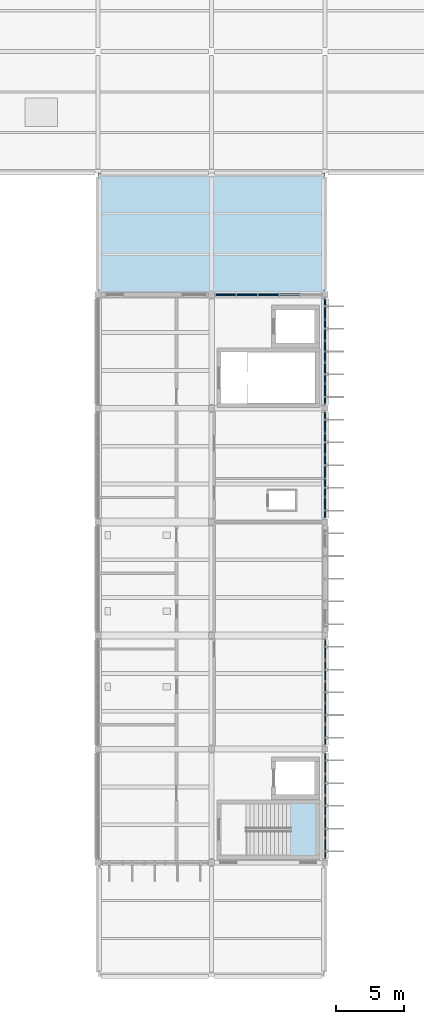
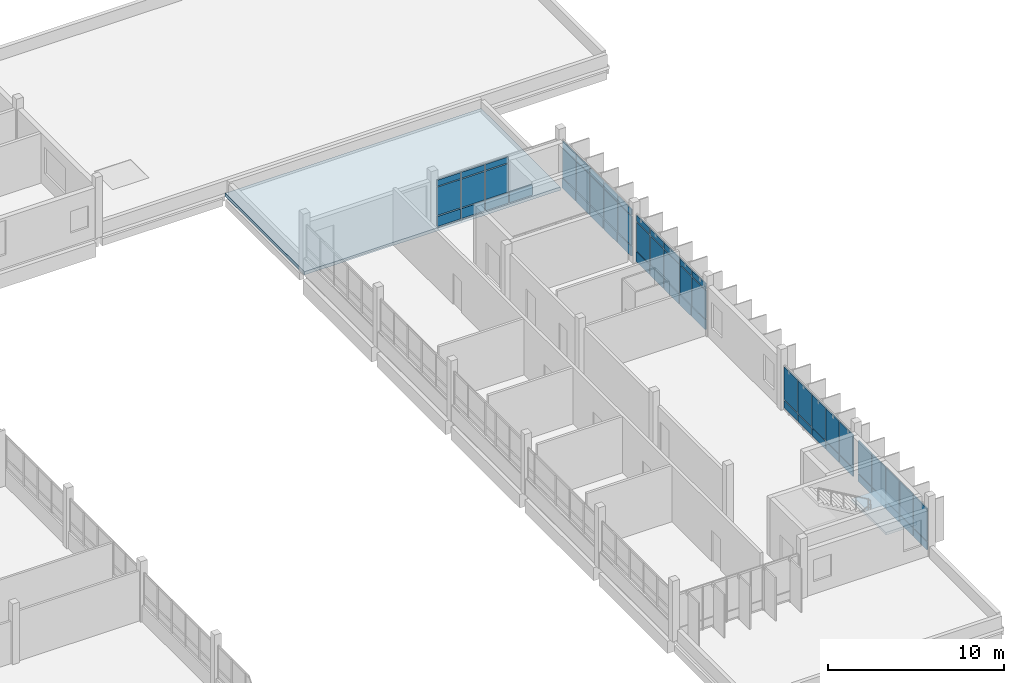
# One storey, part 47 of 62: 60 plates, 2 slabs, 6 elements without a shape of their own.
"""IFC4 building model written with IfcOpenShell, lengths in metres."""

from ifc_helpers import new_model, si_unit, direction, frame, origin, origin_2d, place, context, subcontext, project, spatial, polyline, rectangle, outline, extrude, material, layer, layer_set, type_object, element, aggregate, save


model = new_model("IFC4")

# Units and contexts
model_context = context("Model", 3, precision=1e-05, world=origin(), true_north=direction((0.0, 1.0)))
body_context = subcontext(model_context, "Body", "Model", "MODEL_VIEW")
ifc_project = project(units=[si_unit("LENGTHUNIT", "METRE"), si_unit("AREAUNIT", "SQUARE_METRE"), si_unit("VOLUMEUNIT", "CUBIC_METRE"), si_unit("PLANEANGLEUNIT", "RADIAN"), si_unit("MASSUNIT", "GRAM", prefix="KILO")], contexts=[model_context])

# Site, building, storey
site_placement = place(None, origin())
site = spatial("IfcSite", under=ifc_project, at=site_placement, CompositionType="ELEMENT")
building_placement = place(site_placement, origin())
building = spatial("IfcBuilding", under=site, at=building_placement, Name="Vireocrest Preparatory School", CompositionType="ELEMENT")
storey_placement = place(building_placement, frame((0.0, 0.0, 17.39990234375)))
storey = spatial("IfcBuildingStorey", under=building, at=storey_placement, Name="L04", CompositionType="ELEMENT", Elevation=17.39990234375)

# Curtain wall, plates
ifc_material_1 = material(Name="Thermally broken aluminium EN AW-6063-T6", Category="aluminium")
ifc_layer_1 = layer(ifc_material_1, 0.179931640625)
ifc_layer_set_1 = layer_set([ifc_layer_1], Name="Thermally broken aluminium EN AW-6063-T6")
curtain_wall_type_1 = type_object("IfcCurtainWallType", Name="Teaching Fin Curtain Wall 8400x4200", PredefinedType="USERDEFINED", material=ifc_layer_set_1)
curtain_wall_1_placement = place(storey_placement, origin())
curtain_wall_1 = element("IfcCurtainWall", 1, at=curtain_wall_1_placement, inside=storey, type_object=curtain_wall_type_1, Name="Curtain Wall CW03 CW_L04_CW03_1092_0440_174", ObjectType="CURTAIN WALL", PredefinedType="USERDEFINED")
ifc_material_2 = material(Name="Insulated triple low-e tempered safety glass", Category="glass")
ifc_layer_2 = layer(ifc_material_2, 0.074951171875)
ifc_layer_set_2 = layer_set([ifc_layer_2], Name="Insulated triple low-e tempered safety glass")
plate_type_1 = type_object("IfcPlateType", Name="Acoustic Triple-Glazed Lab Curtain Panel 75", PredefinedType="CURTAIN_PANEL", material=ifc_layer_set_2)
plate_1_placement = place(storey_placement, frame((109.199951171875, 44.847900390625, 0.127685546875), z_axis=(0.0, 0.0, 1.0), x_axis=(0.0, 1.0, 0.0)))
plate_1 = element("IfcPlate", 2, at=plate_1_placement, type_object=plate_type_1, Name="CW Panel GL2 CW_L04_CW03_1092_0440_174-1-1", PredefinedType="CURTAIN_PANEL", context=body_context, shape_type="SweptSolid", body=[
    extrude(rectangle(XDim=1.510986328125, YDim=0.074951171875, at=origin_2d()), origin(), (0.0, 0.0, 1.0), 0.5400390625),
])
plate_2_placement = place(storey_placement, frame((109.199951171875, 44.847900390625, 0.732666015625), z_axis=(0.0, 0.0, 1.0), x_axis=(0.0, 1.0, 0.0)))
plate_2 = element("IfcPlate", 3, at=plate_2_placement, type_object=plate_type_1, Name="CW Panel GL2 CW_L04_CW03_1092_0440_174-1-2", PredefinedType="CURTAIN_PANEL", context=body_context, shape_type="SweptSolid", body=[
    extrude(rectangle(XDim=1.510986328125, YDim=0.074951171875, at=origin_2d()), origin(), (0.0, 0.0, 1.0), 2.25),
])
plate_3_placement = place(storey_placement, frame((109.199951171875, 46.424072265625, 0.127685546875), z_axis=(0.0, 0.0, 1.0), x_axis=(0.0, 1.0, 0.0)))
plate_3 = element("IfcPlate", 4, at=plate_3_placement, type_object=plate_type_1, Name="CW Panel GL2 CW_L04_CW03_1092_0440_174-2-1", PredefinedType="CURTAIN_PANEL", context=body_context, shape_type="SweptSolid", body=[
    extrude(rectangle(XDim=1.510986328125, YDim=0.074951171875, at=origin_2d()), origin(), (0.0, 0.0, 1.0), 0.5400390625),
])
plate_4_placement = place(storey_placement, frame((109.199951171875, 46.424072265625, 0.732666015625), z_axis=(0.0, 0.0, 1.0), x_axis=(0.0, 1.0, 0.0)))
plate_4 = element("IfcPlate", 5, at=plate_4_placement, type_object=plate_type_1, Name="CW Panel GL2 CW_L04_CW03_1092_0440_174-2-2", PredefinedType="CURTAIN_PANEL", context=body_context, shape_type="SweptSolid", body=[
    extrude(rectangle(XDim=1.510986328125, YDim=0.074951171875, at=origin_2d()), origin(), (0.0, 0.0, 1.0), 2.25),
])
plate_5_placement = place(storey_placement, frame((109.199951171875, 48.0, 0.127685546875), z_axis=(0.0, 0.0, 1.0), x_axis=(0.0, 1.0, 0.0)))
plate_5 = element("IfcPlate", 6, at=plate_5_placement, type_object=plate_type_1, Name="CW Panel GL2 CW_L04_CW03_1092_0440_174-3-1", PredefinedType="CURTAIN_PANEL", context=body_context, shape_type="SweptSolid", body=[
    extrude(rectangle(XDim=1.510986328125, YDim=0.074951171875, at=origin_2d()), origin(), (0.0, 0.0, 1.0), 0.5400390625),
])
plate_6_placement = place(storey_placement, frame((109.199951171875, 48.0, 0.732666015625), z_axis=(0.0, 0.0, 1.0), x_axis=(0.0, 1.0, 0.0)))
plate_6 = element("IfcPlate", 7, at=plate_6_placement, type_object=plate_type_1, Name="CW Panel GL2 CW_L04_CW03_1092_0440_174-3-2", PredefinedType="CURTAIN_PANEL", context=body_context, shape_type="SweptSolid", body=[
    extrude(rectangle(XDim=1.510986328125, YDim=0.074951171875, at=origin_2d()), origin(), (0.0, 0.0, 1.0), 2.25),
])
plate_7_placement = place(storey_placement, frame((109.199951171875, 49.575927734375, 0.127685546875), z_axis=(0.0, 0.0, 1.0), x_axis=(0.0, 1.0, 0.0)))
plate_7 = element("IfcPlate", 8, at=plate_7_placement, type_object=plate_type_1, Name="CW Panel GL2 CW_L04_CW03_1092_0440_174-4-1", PredefinedType="CURTAIN_PANEL", context=body_context, shape_type="SweptSolid", body=[
    extrude(rectangle(XDim=1.510986328125, YDim=0.074951171875, at=origin_2d()), origin(), (0.0, 0.0, 1.0), 0.5400390625),
])
plate_8_placement = place(storey_placement, frame((109.199951171875, 49.575927734375, 0.732666015625), z_axis=(0.0, 0.0, 1.0), x_axis=(0.0, 1.0, 0.0)))
plate_8 = element("IfcPlate", 9, at=plate_8_placement, type_object=plate_type_1, Name="CW Panel GL2 CW_L04_CW03_1092_0440_174-4-2", PredefinedType="CURTAIN_PANEL", context=body_context, shape_type="SweptSolid", body=[
    extrude(rectangle(XDim=1.510986328125, YDim=0.074951171875, at=origin_2d()), origin(), (0.0, 0.0, 1.0), 2.25),
])
plate_9_placement = place(storey_placement, frame((109.199951171875, 51.152099609375, 0.127685546875), z_axis=(0.0, 0.0, 1.0), x_axis=(0.0, 1.0, 0.0)))
plate_9 = element("IfcPlate", 10, at=plate_9_placement, type_object=plate_type_1, Name="CW Panel GL2 CW_L04_CW03_1092_0440_174-5-1", PredefinedType="CURTAIN_PANEL", context=body_context, shape_type="SweptSolid", body=[
    extrude(rectangle(XDim=1.510986328125, YDim=0.074951171875, at=origin_2d()), origin(), (0.0, 0.0, 1.0), 0.5400390625),
])
plate_10_placement = place(storey_placement, frame((109.199951171875, 51.152099609375, 0.732666015625), z_axis=(0.0, 0.0, 1.0), x_axis=(0.0, 1.0, 0.0)))
plate_10 = element("IfcPlate", 11, at=plate_10_placement, type_object=plate_type_1, Name="CW Panel GL2 CW_L04_CW03_1092_0440_174-5-2", PredefinedType="CURTAIN_PANEL", context=body_context, shape_type="SweptSolid", body=[
    extrude(rectangle(XDim=1.510986328125, YDim=0.074951171875, at=origin_2d()), origin(), (0.0, 0.0, 1.0), 2.25),
])
aggregate(curtain_wall_1, [plate_1, plate_2, plate_3, plate_4, plate_5, plate_6, plate_7, plate_8, plate_9, plate_10])

curtain_wall_2_placement = place(storey_placement, origin())
curtain_wall_2 = element("IfcCurtainWall", 12, at=curtain_wall_2_placement, inside=storey, type_object=curtain_wall_type_1, Name="Curtain Wall CW03 CW_L04_CW03_1092_0524_174", ObjectType="CURTAIN WALL", PredefinedType="USERDEFINED")
plate_11_placement = place(storey_placement, frame((109.199951171875, 53.248046875, 0.127685546875), z_axis=(0.0, 0.0, 1.0), x_axis=(0.0, 1.0, 0.0)))
plate_11 = element("IfcPlate", 13, at=plate_11_placement, type_object=plate_type_1, Name="CW Panel GL2 CW_L04_CW03_1092_0524_174-1-1", PredefinedType="CURTAIN_PANEL", context=body_context, shape_type="SweptSolid", body=[
    extrude(rectangle(XDim=1.510986328125, YDim=0.074951171875, at=origin_2d()), origin(), (0.0, 0.0, 1.0), 0.5400390625),
])
plate_12_placement = place(storey_placement, frame((109.199951171875, 53.248046875, 0.732666015625), z_axis=(0.0, 0.0, 1.0), x_axis=(0.0, 1.0, 0.0)))
plate_12 = element("IfcPlate", 14, at=plate_12_placement, type_object=plate_type_1, Name="CW Panel GL2 CW_L04_CW03_1092_0524_174-1-2", PredefinedType="CURTAIN_PANEL", context=body_context, shape_type="SweptSolid", body=[
    extrude(rectangle(XDim=1.510986328125, YDim=0.074951171875, at=origin_2d()), origin(), (0.0, 0.0, 1.0), 2.25),
])
plate_13_placement = place(storey_placement, frame((109.199951171875, 54.823974609375, 0.127685546875), z_axis=(0.0, 0.0, 1.0), x_axis=(0.0, 1.0, 0.0)))
plate_13 = element("IfcPlate", 15, at=plate_13_placement, type_object=plate_type_1, Name="CW Panel GL2 CW_L04_CW03_1092_0524_174-2-1", PredefinedType="CURTAIN_PANEL", context=body_context, shape_type="SweptSolid", body=[
    extrude(rectangle(XDim=1.510986328125, YDim=0.074951171875, at=origin_2d()), origin(), (0.0, 0.0, 1.0), 0.5400390625),
])
plate_14_placement = place(storey_placement, frame((109.199951171875, 54.823974609375, 0.732666015625), z_axis=(0.0, 0.0, 1.0), x_axis=(0.0, 1.0, 0.0)))
plate_14 = element("IfcPlate", 16, at=plate_14_placement, type_object=plate_type_1, Name="CW Panel GL2 CW_L04_CW03_1092_0524_174-2-2", PredefinedType="CURTAIN_PANEL", context=body_context, shape_type="SweptSolid", body=[
    extrude(rectangle(XDim=1.510986328125, YDim=0.074951171875, at=origin_2d()), origin(), (0.0, 0.0, 1.0), 2.25),
])
plate_15_placement = place(storey_placement, frame((109.199951171875, 56.39990234375, 0.127685546875), z_axis=(0.0, 0.0, 1.0), x_axis=(0.0, 1.0, 0.0)))
plate_15 = element("IfcPlate", 17, at=plate_15_placement, type_object=plate_type_1, Name="CW Panel GL2 CW_L04_CW03_1092_0524_174-3-1", PredefinedType="CURTAIN_PANEL", context=body_context, shape_type="SweptSolid", body=[
    extrude(rectangle(XDim=1.510986328125, YDim=0.074951171875, at=origin_2d()), origin(), (0.0, 0.0, 1.0), 0.5400390625),
])
plate_16_placement = place(storey_placement, frame((109.199951171875, 56.39990234375, 0.732666015625), z_axis=(0.0, 0.0, 1.0), x_axis=(0.0, 1.0, 0.0)))
plate_16 = element("IfcPlate", 18, at=plate_16_placement, type_object=plate_type_1, Name="CW Panel GL2 CW_L04_CW03_1092_0524_174-3-2", PredefinedType="CURTAIN_PANEL", context=body_context, shape_type="SweptSolid", body=[
    extrude(rectangle(XDim=1.510986328125, YDim=0.074951171875, at=origin_2d()), origin(), (0.0, 0.0, 1.0), 2.25),
])
plate_17_placement = place(storey_placement, frame((109.199951171875, 57.97607421875, 0.127685546875), z_axis=(0.0, 0.0, 1.0), x_axis=(0.0, 1.0, 0.0)))
plate_17 = element("IfcPlate", 19, at=plate_17_placement, type_object=plate_type_1, Name="CW Panel GL2 CW_L04_CW03_1092_0524_174-4-1", PredefinedType="CURTAIN_PANEL", context=body_context, shape_type="SweptSolid", body=[
    extrude(rectangle(XDim=1.510986328125, YDim=0.074951171875, at=origin_2d()), origin(), (0.0, 0.0, 1.0), 0.5400390625),
])
plate_18_placement = place(storey_placement, frame((109.199951171875, 57.97607421875, 0.732666015625), z_axis=(0.0, 0.0, 1.0), x_axis=(0.0, 1.0, 0.0)))
plate_18 = element("IfcPlate", 20, at=plate_18_placement, type_object=plate_type_1, Name="CW Panel GL2 CW_L04_CW03_1092_0524_174-4-2", PredefinedType="CURTAIN_PANEL", context=body_context, shape_type="SweptSolid", body=[
    extrude(rectangle(XDim=1.510986328125, YDim=0.074951171875, at=origin_2d()), origin(), (0.0, 0.0, 1.0), 2.25),
])
plate_19_placement = place(storey_placement, frame((109.199951171875, 59.552001953125, 0.127685546875), z_axis=(0.0, 0.0, 1.0), x_axis=(0.0, 1.0, 0.0)))
plate_19 = element("IfcPlate", 21, at=plate_19_placement, type_object=plate_type_1, Name="CW Panel GL2 CW_L04_CW03_1092_0524_174-5-1", PredefinedType="CURTAIN_PANEL", context=body_context, shape_type="SweptSolid", body=[
    extrude(rectangle(XDim=1.510986328125, YDim=0.074951171875, at=origin_2d()), origin(), (0.0, 0.0, 1.0), 0.5400390625),
])
plate_20_placement = place(storey_placement, frame((109.199951171875, 59.552001953125, 0.732666015625), z_axis=(0.0, 0.0, 1.0), x_axis=(0.0, 1.0, 0.0)))
plate_20 = element("IfcPlate", 22, at=plate_20_placement, type_object=plate_type_1, Name="CW Panel GL2 CW_L04_CW03_1092_0524_174-5-2", PredefinedType="CURTAIN_PANEL", context=body_context, shape_type="SweptSolid", body=[
    extrude(rectangle(XDim=1.510986328125, YDim=0.074951171875, at=origin_2d()), origin(), (0.0, 0.0, 1.0), 2.25),
])
aggregate(curtain_wall_2, [plate_11, plate_12, plate_13, plate_14, plate_15, plate_16, plate_17, plate_18, plate_19, plate_20])

curtain_wall_3_placement = place(storey_placement, origin())
curtain_wall_3 = element("IfcCurtainWall", 23, at=curtain_wall_3_placement, inside=storey, type_object=curtain_wall_type_1, Name="Curtain Wall CW03 CW_L04_CW03_1092_0692_174", ObjectType="CURTAIN WALL", PredefinedType="USERDEFINED")
plate_21_placement = place(storey_placement, frame((109.199951171875, 70.048095703125, 0.88232421875), z_axis=(0.0, 0.0, 1.0), x_axis=(0.0, 1.0, 0.0)))
plate_21 = element("IfcPlate", 24, at=plate_21_placement, type_object=plate_type_1, Name="CW Panel GL2 CW_L04_CW03_1092_0692_174-1-2", PredefinedType="CURTAIN_PANEL", context=body_context, shape_type="SweptSolid", body=[
    extrude(rectangle(XDim=1.510986328125, YDim=0.074951171875, at=origin_2d()), origin(), (0.0, 0.0, 1.0), 1.965087890625),
])
plate_22_placement = place(storey_placement, frame((109.199951171875, 70.048095703125, 2.91259765625), z_axis=(0.0, 0.0, 1.0), x_axis=(0.0, 1.0, 0.0)))
plate_22 = element("IfcPlate", 25, at=plate_22_placement, type_object=plate_type_1, Name="CW Panel GL2 CW_L04_CW03_1092_0692_174-1-3", PredefinedType="CURTAIN_PANEL", context=body_context, shape_type="SweptSolid", body=[
    extrude(rectangle(XDim=1.510986328125, YDim=0.074951171875, at=origin_2d()), origin(), (0.0, 0.0, 1.0), 0.409912109375),
])
plate_23_placement = place(storey_placement, frame((109.199951171875, 71.51806640625, 0.88232421875), z_axis=(0.0, 0.0, 1.0), x_axis=(0.0, 1.0, 0.0)))
plate_23 = element("IfcPlate", 26, at=plate_23_placement, type_object=plate_type_1, Name="CW Panel GL2 CW_L04_CW03_1092_0692_174-2-2", PredefinedType="CURTAIN_PANEL", context=body_context, shape_type="SweptSolid", body=[
    extrude(rectangle(XDim=1.299072265625, YDim=0.074951171875, at=origin_2d()), origin(), (0.0, 0.0, 1.0), 1.965087890625),
])
plate_24_placement = place(storey_placement, frame((109.199951171875, 71.51806640625, 2.91259765625), z_axis=(0.0, 0.0, 1.0), x_axis=(0.0, 1.0, 0.0)))
plate_24 = element("IfcPlate", 27, at=plate_24_placement, type_object=plate_type_1, Name="CW Panel GL2 CW_L04_CW03_1092_0692_174-2-3", PredefinedType="CURTAIN_PANEL", context=body_context, shape_type="SweptSolid", body=[
    extrude(rectangle(XDim=1.299072265625, YDim=0.074951171875, at=origin_2d()), origin(), (0.0, 0.0, 1.0), 0.409912109375),
])
plate_25_placement = place(storey_placement, frame((109.199951171875, 73.093994140625, 0.88232421875), z_axis=(0.0, 0.0, 1.0), x_axis=(0.0, 1.0, 0.0)))
plate_25 = element("IfcPlate", 28, at=plate_25_placement, type_object=plate_type_1, Name="CW Panel GL2 CW_L04_CW03_1092_0692_174-3-2", PredefinedType="CURTAIN_PANEL", context=body_context, shape_type="SweptSolid", body=[
    extrude(rectangle(XDim=1.722900390625, YDim=0.074951171875, at=origin_2d()), origin(), (0.0, 0.0, 1.0), 1.965087890625),
])
plate_26_placement = place(storey_placement, frame((109.199951171875, 73.093994140625, 2.91259765625), z_axis=(0.0, 0.0, 1.0), x_axis=(0.0, 1.0, 0.0)))
plate_26 = element("IfcPlate", 29, at=plate_26_placement, type_object=plate_type_1, Name="CW Panel GL2 CW_L04_CW03_1092_0692_174-3-3", PredefinedType="CURTAIN_PANEL", context=body_context, shape_type="SweptSolid", body=[
    extrude(rectangle(XDim=1.722900390625, YDim=0.074951171875, at=origin_2d()), origin(), (0.0, 0.0, 1.0), 0.409912109375),
])
plate_27_placement = place(storey_placement, frame((109.199951171875, 74.77587890625, 0.88232421875), z_axis=(0.0, 0.0, 1.0), x_axis=(0.0, 1.0, 0.0)))
plate_27 = element("IfcPlate", 30, at=plate_27_placement, type_object=plate_type_1, Name="CW Panel GL2 CW_L04_CW03_1092_0692_174-4-2", PredefinedType="CURTAIN_PANEL", context=body_context, shape_type="SweptSolid", body=[
    extrude(rectangle(XDim=1.510986328125, YDim=0.074951171875, at=origin_2d()), origin(), (0.0, 0.0, 1.0), 1.965087890625),
])
plate_28_placement = place(storey_placement, frame((109.199951171875, 74.77587890625, 2.91259765625), z_axis=(0.0, 0.0, 1.0), x_axis=(0.0, 1.0, 0.0)))
plate_28 = element("IfcPlate", 31, at=plate_28_placement, type_object=plate_type_1, Name="CW Panel GL2 CW_L04_CW03_1092_0692_174-4-3", PredefinedType="CURTAIN_PANEL", context=body_context, shape_type="SweptSolid", body=[
    extrude(rectangle(XDim=1.510986328125, YDim=0.074951171875, at=origin_2d()), origin(), (0.0, 0.0, 1.0), 0.409912109375),
])
plate_29_placement = place(storey_placement, frame((109.199951171875, 76.35205078125, 0.88232421875), z_axis=(0.0, 0.0, 1.0), x_axis=(0.0, 1.0, 0.0)))
plate_29 = element("IfcPlate", 32, at=plate_29_placement, type_object=plate_type_1, Name="CW Panel GL2 CW_L04_CW03_1092_0692_174-5-2", PredefinedType="CURTAIN_PANEL", context=body_context, shape_type="SweptSolid", body=[
    extrude(rectangle(XDim=1.510986328125, YDim=0.074951171875, at=origin_2d()), origin(), (0.0, 0.0, 1.0), 1.965087890625),
])
plate_30_placement = place(storey_placement, frame((109.199951171875, 76.35205078125, 2.91259765625), z_axis=(0.0, 0.0, 1.0), x_axis=(0.0, 1.0, 0.0)))
plate_30 = element("IfcPlate", 33, at=plate_30_placement, type_object=plate_type_1, Name="CW Panel GL2 CW_L04_CW03_1092_0692_174-5-3", PredefinedType="CURTAIN_PANEL", context=body_context, shape_type="SweptSolid", body=[
    extrude(rectangle(XDim=1.510986328125, YDim=0.074951171875, at=origin_2d()), origin(), (0.0, 0.0, 1.0), 0.409912109375),
])

curtain_wall_4_placement = place(storey_placement, origin())
curtain_wall_4 = element("IfcCurtainWall", 34, at=curtain_wall_4_placement, inside=storey, type_object=curtain_wall_type_1, Name="Curtain Wall CW03 CW_L04_CW03_1092_0776_174", ObjectType="CURTAIN WALL", PredefinedType="USERDEFINED")
plate_31_placement = place(storey_placement, frame((109.199951171875, 78.447998046875, 0.8828125), z_axis=(0.0, 0.0, 1.0), x_axis=(0.0, 1.0, 0.0)))
plate_31 = element("IfcPlate", 35, at=plate_31_placement, type_object=plate_type_1, Name="CW Panel GL2 CW_L04_CW03_1092_0776_174-1-2", PredefinedType="CURTAIN_PANEL", context=body_context, shape_type="SweptSolid", body=[
    extrude(rectangle(XDim=1.510986328125, YDim=0.074951171875, at=origin_2d()), origin(), (0.0, 0.0, 1.0), 2.014892578125),
])
plate_32_placement = place(storey_placement, frame((109.199951171875, 78.447998046875, 2.96240234375), z_axis=(0.0, 0.0, 1.0), x_axis=(0.0, 1.0, 0.0)))
plate_32 = element("IfcPlate", 36, at=plate_32_placement, type_object=plate_type_1, Name="CW Panel GL2 CW_L04_CW03_1092_0776_174-1-3", PredefinedType="CURTAIN_PANEL", context=body_context, shape_type="SweptSolid", body=[
    extrude(rectangle(XDim=1.510986328125, YDim=0.074951171875, at=origin_2d()), origin(), (0.0, 0.0, 1.0), 0.409912109375),
])
plate_33_placement = place(storey_placement, frame((109.199951171875, 80.02392578125, 0.8828125), z_axis=(0.0, 0.0, 1.0), x_axis=(0.0, 1.0, 0.0)))
plate_33 = element("IfcPlate", 37, at=plate_33_placement, type_object=plate_type_1, Name="CW Panel GL2 CW_L04_CW03_1092_0776_174-2-2", PredefinedType="CURTAIN_PANEL", context=body_context, shape_type="SweptSolid", body=[
    extrude(rectangle(XDim=1.510986328125, YDim=0.074951171875, at=origin_2d()), origin(), (0.0, 0.0, 1.0), 2.014892578125),
])
plate_34_placement = place(storey_placement, frame((109.199951171875, 80.02392578125, 2.96240234375), z_axis=(0.0, 0.0, 1.0), x_axis=(0.0, 1.0, 0.0)))
plate_34 = element("IfcPlate", 38, at=plate_34_placement, type_object=plate_type_1, Name="CW Panel GL2 CW_L04_CW03_1092_0776_174-2-3", PredefinedType="CURTAIN_PANEL", context=body_context, shape_type="SweptSolid", body=[
    extrude(rectangle(XDim=1.510986328125, YDim=0.074951171875, at=origin_2d()), origin(), (0.0, 0.0, 1.0), 0.409912109375),
])
plate_35_placement = place(storey_placement, frame((109.199951171875, 81.60009765625, 0.8828125), z_axis=(0.0, 0.0, 1.0), x_axis=(0.0, 1.0, 0.0)))
plate_35 = element("IfcPlate", 39, at=plate_35_placement, type_object=plate_type_1, Name="CW Panel GL2 CW_L04_CW03_1092_0776_174-3-2", PredefinedType="CURTAIN_PANEL", context=body_context, shape_type="SweptSolid", body=[
    extrude(rectangle(XDim=1.510986328125, YDim=0.074951171875, at=origin_2d()), origin(), (0.0, 0.0, 1.0), 2.014892578125),
])
plate_36_placement = place(storey_placement, frame((109.199951171875, 81.60009765625, 2.96240234375), z_axis=(0.0, 0.0, 1.0), x_axis=(0.0, 1.0, 0.0)))
plate_36 = element("IfcPlate", 40, at=plate_36_placement, type_object=plate_type_1, Name="CW Panel GL2 CW_L04_CW03_1092_0776_174-3-3", PredefinedType="CURTAIN_PANEL", context=body_context, shape_type="SweptSolid", body=[
    extrude(rectangle(XDim=1.510986328125, YDim=0.074951171875, at=origin_2d()), origin(), (0.0, 0.0, 1.0), 0.409912109375),
])
plate_37_placement = place(storey_placement, frame((109.199951171875, 83.176025390625, 0.8828125), z_axis=(0.0, 0.0, 1.0), x_axis=(0.0, 1.0, 0.0)))
plate_37 = element("IfcPlate", 41, at=plate_37_placement, type_object=plate_type_1, Name="CW Panel GL2 CW_L04_CW03_1092_0776_174-4-2", PredefinedType="CURTAIN_PANEL", context=body_context, shape_type="SweptSolid", body=[
    extrude(rectangle(XDim=1.510986328125, YDim=0.074951171875, at=origin_2d()), origin(), (0.0, 0.0, 1.0), 2.014892578125),
])
plate_38_placement = place(storey_placement, frame((109.199951171875, 83.176025390625, 2.96240234375), z_axis=(0.0, 0.0, 1.0), x_axis=(0.0, 1.0, 0.0)))
plate_38 = element("IfcPlate", 42, at=plate_38_placement, type_object=plate_type_1, Name="CW Panel GL2 CW_L04_CW03_1092_0776_174-4-3", PredefinedType="CURTAIN_PANEL", context=body_context, shape_type="SweptSolid", body=[
    extrude(rectangle(XDim=1.510986328125, YDim=0.074951171875, at=origin_2d()), origin(), (0.0, 0.0, 1.0), 0.409912109375),
])
plate_39_placement = place(storey_placement, frame((109.199951171875, 84.751953125, 0.8828125), z_axis=(0.0, 0.0, 1.0), x_axis=(0.0, 1.0, 0.0)))
plate_39 = element("IfcPlate", 43, at=plate_39_placement, type_object=plate_type_1, Name="CW Panel GL2 CW_L04_CW03_1092_0776_174-5-2", PredefinedType="CURTAIN_PANEL", context=body_context, shape_type="SweptSolid", body=[
    extrude(rectangle(XDim=1.510986328125, YDim=0.074951171875, at=origin_2d()), origin(), (0.0, 0.0, 1.0), 2.014892578125),
])
plate_40_placement = place(storey_placement, frame((109.199951171875, 84.751953125, 2.96240234375), z_axis=(0.0, 0.0, 1.0), x_axis=(0.0, 1.0, 0.0)))
plate_40 = element("IfcPlate", 44, at=plate_40_placement, type_object=plate_type_1, Name="CW Panel GL2 CW_L04_CW03_1092_0776_174-5-3", PredefinedType="CURTAIN_PANEL", context=body_context, shape_type="SweptSolid", body=[
    extrude(rectangle(XDim=1.510986328125, YDim=0.074951171875, at=origin_2d()), origin(), (0.0, 0.0, 1.0), 0.409912109375),
])

ifc_layer_3 = layer(ifc_material_1, 0.179931640625)
ifc_layer_set_3 = layer_set([ifc_layer_3], Name="Thermally broken aluminium EN AW-6063-T6")
curtain_wall_type_2 = type_object("IfcCurtainWallType", Name="Stair Core Daylit Strip 4200x4200", PredefinedType="USERDEFINED", material=ifc_layer_set_3)
curtain_wall_5_placement = place(storey_placement, origin())
curtain_wall_5 = element("IfcCurtainWall", 45, at=curtain_wall_5_placement, inside=storey, type_object=curtain_wall_type_2, Name="Curtain Wall CW18 CW_L04_CW18_1010_0858_174", ObjectType="CURTAIN WALL", PredefinedType="USERDEFINED")
plate_41_placement = place(storey_placement, frame((101.847900390625, 85.800048828125, 0.88232421875), z_axis=(0.0, 0.0, 1.0), x_axis=(1.0, 0.0, 0.0)))
plate_41 = element("IfcPlate", 46, at=plate_41_placement, type_object=plate_type_1, Name="CW Panel GL2 CW_L04_CW18_1010_0858_174-1-2", PredefinedType="CURTAIN_PANEL", context=body_context, shape_type="SweptSolid", body=[
    extrude(rectangle(XDim=1.510986328125, YDim=0.074951171875, at=origin_2d()), origin(), (0.0, 0.0, 1.0), 1.965087890625),
])
plate_42_placement = place(storey_placement, frame((101.847900390625, 85.800048828125, 2.91259765625), z_axis=(0.0, 0.0, 1.0), x_axis=(1.0, 0.0, 0.0)))
plate_42 = element("IfcPlate", 47, at=plate_42_placement, type_object=plate_type_1, Name="CW Panel GL2 CW_L04_CW18_1010_0858_174-1-3", PredefinedType="CURTAIN_PANEL", context=body_context, shape_type="SweptSolid", body=[
    extrude(rectangle(XDim=1.510986328125, YDim=0.074951171875, at=origin_2d()), origin(), (0.0, 0.0, 1.0), 0.409912109375),
])
plate_43_placement = place(storey_placement, frame((103.424072265625, 85.800048828125, 0.88232421875), z_axis=(0.0, 0.0, 1.0), x_axis=(1.0, 0.0, 0.0)))
plate_43 = element("IfcPlate", 48, at=plate_43_placement, type_object=plate_type_1, Name="CW Panel GL2 CW_L04_CW18_1010_0858_174-2-2", PredefinedType="CURTAIN_PANEL", context=body_context, shape_type="SweptSolid", body=[
    extrude(rectangle(XDim=1.510986328125, YDim=0.074951171875, at=origin_2d()), origin(), (0.0, 0.0, 1.0), 1.965087890625),
])
plate_44_placement = place(storey_placement, frame((103.424072265625, 85.800048828125, 2.91259765625), z_axis=(0.0, 0.0, 1.0), x_axis=(1.0, 0.0, 0.0)))
plate_44 = element("IfcPlate", 49, at=plate_44_placement, type_object=plate_type_1, Name="CW Panel GL2 CW_L04_CW18_1010_0858_174-2-3", PredefinedType="CURTAIN_PANEL", context=body_context, shape_type="SweptSolid", body=[
    extrude(rectangle(XDim=1.510986328125, YDim=0.074951171875, at=origin_2d()), origin(), (0.0, 0.0, 1.0), 0.409912109375),
])
plate_45_placement = place(storey_placement, frame((105.0, 85.800048828125, 0.88232421875), z_axis=(0.0, 0.0, 1.0), x_axis=(1.0, 0.0, 0.0)))
plate_45 = element("IfcPlate", 50, at=plate_45_placement, type_object=plate_type_1, Name="CW Panel GL2 CW_L04_CW18_1010_0858_174-3-2", PredefinedType="CURTAIN_PANEL", context=body_context, shape_type="SweptSolid", body=[
    extrude(rectangle(XDim=1.510986328125, YDim=0.074951171875, at=origin_2d()), origin(), (0.0, 0.0, 1.0), 1.965087890625),
])
plate_46_placement = place(storey_placement, frame((105.0, 85.800048828125, 2.91259765625), z_axis=(0.0, 0.0, 1.0), x_axis=(1.0, 0.0, 0.0)))
plate_46 = element("IfcPlate", 51, at=plate_46_placement, type_object=plate_type_1, Name="CW Panel GL2 CW_L04_CW18_1010_0858_174-3-3", PredefinedType="CURTAIN_PANEL", context=body_context, shape_type="SweptSolid", body=[
    extrude(rectangle(XDim=1.510986328125, YDim=0.074951171875, at=origin_2d()), origin(), (0.0, 0.0, 1.0), 0.409912109375),
])

# Slab
ifc_material_3 = material(Name="Concrete 40 MPa", Category="concrete")
ifc_layer_4 = layer(ifc_material_3, 0.219970703125)
ifc_layer_set_4 = layer_set([ifc_layer_4], Name="Concrete 40 MPa")
slab_type_1 = type_object("IfcSlabType", Name="Insulated Flat Concrete Roof Slab 220", PredefinedType="ROOF", material=ifc_layer_set_4)
slab_1_placement = place(storey_placement, frame((0.0, 0.0, -0.219970703125)))
element("IfcSlab", 52, at=slab_1_placement, inside=storey, type_object=slab_type_1, Name="Slab L04_EAST_NORTH_ROOF", PredefinedType="ROOF", context=body_context, shape_type="SweptSolid", body=[
    extrude(outline(polyline([(92.39990234375, 85.800048828125), (109.199951171875, 85.800048828125), (109.199951171875, 94.800048828125), (92.39990234375, 94.800048828125), (92.39990234375, 85.800048828125)])), origin(), (0.0, 0.0, 1.0), 0.219970703125),
])

# Plate
ifc_material_4 = material(Name="Painted white aluminium cladding EN AW-6063-T6", Category="aluminium")
ifc_layer_5 = layer(ifc_material_4, 0.114990234375)
ifc_layer_set_5 = layer_set([ifc_layer_5], Name="Painted white aluminium cladding EN AW-6063-T6")
plate_type_2 = type_object("IfcPlateType", Name="Insulated White Spandrel Curtain Panel 115", PredefinedType="CURTAIN_PANEL", material=ifc_layer_set_5)
plate_47_placement = place(storey_placement, frame((109.199951171875, 70.048095703125, 0.127685546875), z_axis=(0.0, 0.0, 1.0), x_axis=(0.0, 1.0, 0.0)))
plate_47 = element("IfcPlate", 53, at=plate_47_placement, type_object=plate_type_2, Name="CW Panel SP2 CW_L04_CW03_1092_0692_174-1-1", PredefinedType="CURTAIN_PANEL", context=body_context, shape_type="SweptSolid", body=[
    extrude(rectangle(XDim=1.510986328125, YDim=0.114990234375, at=origin_2d()), origin(), (0.0, 0.0, 1.0), 0.68994140625),
])

plate_48_placement = place(storey_placement, frame((109.199951171875, 71.51806640625, 0.127685546875), z_axis=(0.0, 0.0, 1.0), x_axis=(0.0, 1.0, 0.0)))
plate_48 = element("IfcPlate", 54, at=plate_48_placement, type_object=plate_type_2, Name="CW Panel SP2 CW_L04_CW03_1092_0692_174-2-1", PredefinedType="CURTAIN_PANEL", context=body_context, shape_type="SweptSolid", body=[
    extrude(rectangle(XDim=1.299072265625, YDim=0.114990234375, at=origin_2d()), origin(), (0.0, 0.0, 1.0), 0.68994140625),
])

plate_49_placement = place(storey_placement, frame((109.199951171875, 73.093994140625, 0.127685546875), z_axis=(0.0, 0.0, 1.0), x_axis=(0.0, 1.0, 0.0)))
plate_49 = element("IfcPlate", 55, at=plate_49_placement, type_object=plate_type_2, Name="CW Panel SP2 CW_L04_CW03_1092_0692_174-3-1", PredefinedType="CURTAIN_PANEL", context=body_context, shape_type="SweptSolid", body=[
    extrude(rectangle(XDim=1.722900390625, YDim=0.114990234375, at=origin_2d()), origin(), (0.0, 0.0, 1.0), 0.68994140625),
])

plate_50_placement = place(storey_placement, frame((109.199951171875, 74.77587890625, 0.127685546875), z_axis=(0.0, 0.0, 1.0), x_axis=(0.0, 1.0, 0.0)))
plate_50 = element("IfcPlate", 56, at=plate_50_placement, type_object=plate_type_2, Name="CW Panel SP2 CW_L04_CW03_1092_0692_174-4-1", PredefinedType="CURTAIN_PANEL", context=body_context, shape_type="SweptSolid", body=[
    extrude(rectangle(XDim=1.510986328125, YDim=0.114990234375, at=origin_2d()), origin(), (0.0, 0.0, 1.0), 0.68994140625),
])

plate_51_placement = place(storey_placement, frame((109.199951171875, 76.35205078125, 0.127685546875), z_axis=(0.0, 0.0, 1.0), x_axis=(0.0, 1.0, 0.0)))
plate_51 = element("IfcPlate", 57, at=plate_51_placement, type_object=plate_type_2, Name="CW Panel SP2 CW_L04_CW03_1092_0692_174-5-1", PredefinedType="CURTAIN_PANEL", context=body_context, shape_type="SweptSolid", body=[
    extrude(rectangle(XDim=1.510986328125, YDim=0.114990234375, at=origin_2d()), origin(), (0.0, 0.0, 1.0), 0.68994140625),
])

aggregate(curtain_wall_3, [plate_47, plate_21, plate_22, plate_48, plate_23, plate_24, plate_49, plate_25, plate_26, plate_50, plate_27, plate_28, plate_51, plate_29, plate_30])

plate_52_placement = place(storey_placement, frame((109.199951171875, 78.447998046875, 0.127685546875), z_axis=(0.0, 0.0, 1.0), x_axis=(0.0, 1.0, 0.0)))
plate_52 = element("IfcPlate", 58, at=plate_52_placement, type_object=plate_type_2, Name="CW Panel SP2 CW_L04_CW03_1092_0776_174-1-1", PredefinedType="CURTAIN_PANEL", context=body_context, shape_type="SweptSolid", body=[
    extrude(rectangle(XDim=1.510986328125, YDim=0.114990234375, at=origin_2d()), origin(), (0.0, 0.0, 1.0), 0.68994140625),
])

plate_53_placement = place(storey_placement, frame((109.199951171875, 80.02392578125, 0.127685546875), z_axis=(0.0, 0.0, 1.0), x_axis=(0.0, 1.0, 0.0)))
plate_53 = element("IfcPlate", 59, at=plate_53_placement, type_object=plate_type_2, Name="CW Panel SP2 CW_L04_CW03_1092_0776_174-2-1", PredefinedType="CURTAIN_PANEL", context=body_context, shape_type="SweptSolid", body=[
    extrude(rectangle(XDim=1.510986328125, YDim=0.114990234375, at=origin_2d()), origin(), (0.0, 0.0, 1.0), 0.68994140625),
])

plate_54_placement = place(storey_placement, frame((109.199951171875, 81.60009765625, 0.127685546875), z_axis=(0.0, 0.0, 1.0), x_axis=(0.0, 1.0, 0.0)))
plate_54 = element("IfcPlate", 60, at=plate_54_placement, type_object=plate_type_2, Name="CW Panel SP2 CW_L04_CW03_1092_0776_174-3-1", PredefinedType="CURTAIN_PANEL", context=body_context, shape_type="SweptSolid", body=[
    extrude(rectangle(XDim=1.510986328125, YDim=0.114990234375, at=origin_2d()), origin(), (0.0, 0.0, 1.0), 0.68994140625),
])

plate_55_placement = place(storey_placement, frame((109.199951171875, 83.176025390625, 0.127685546875), z_axis=(0.0, 0.0, 1.0), x_axis=(0.0, 1.0, 0.0)))
plate_55 = element("IfcPlate", 61, at=plate_55_placement, type_object=plate_type_2, Name="CW Panel SP2 CW_L04_CW03_1092_0776_174-4-1", PredefinedType="CURTAIN_PANEL", context=body_context, shape_type="SweptSolid", body=[
    extrude(rectangle(XDim=1.510986328125, YDim=0.114990234375, at=origin_2d()), origin(), (0.0, 0.0, 1.0), 0.68994140625),
])

plate_56_placement = place(storey_placement, frame((109.199951171875, 84.751953125, 0.127685546875), z_axis=(0.0, 0.0, 1.0), x_axis=(0.0, 1.0, 0.0)))
plate_56 = element("IfcPlate", 62, at=plate_56_placement, type_object=plate_type_2, Name="CW Panel SP2 CW_L04_CW03_1092_0776_174-5-1", PredefinedType="CURTAIN_PANEL", context=body_context, shape_type="SweptSolid", body=[
    extrude(rectangle(XDim=1.510986328125, YDim=0.114990234375, at=origin_2d()), origin(), (0.0, 0.0, 1.0), 0.68994140625),
])

aggregate(curtain_wall_4, [plate_52, plate_31, plate_32, plate_53, plate_33, plate_34, plate_54, plate_35, plate_36, plate_55, plate_37, plate_38, plate_56, plate_39, plate_40])

plate_57_placement = place(storey_placement, frame((101.847900390625, 85.800048828125, 0.127685546875), z_axis=(0.0, 0.0, 1.0), x_axis=(1.0, 0.0, 0.0)))
plate_57 = element("IfcPlate", 63, at=plate_57_placement, type_object=plate_type_2, Name="CW Panel SP2 CW_L04_CW18_1010_0858_174-1-1", PredefinedType="CURTAIN_PANEL", context=body_context, shape_type="SweptSolid", body=[
    extrude(rectangle(XDim=1.510986328125, YDim=0.114990234375, at=origin_2d()), origin(), (0.0, 0.0, 1.0), 0.68994140625),
])

plate_58_placement = place(storey_placement, frame((103.424072265625, 85.800048828125, 0.127685546875), z_axis=(0.0, 0.0, 1.0), x_axis=(1.0, 0.0, 0.0)))
plate_58 = element("IfcPlate", 64, at=plate_58_placement, type_object=plate_type_2, Name="CW Panel SP2 CW_L04_CW18_1010_0858_174-2-1", PredefinedType="CURTAIN_PANEL", context=body_context, shape_type="SweptSolid", body=[
    extrude(rectangle(XDim=1.510986328125, YDim=0.114990234375, at=origin_2d()), origin(), (0.0, 0.0, 1.0), 0.68994140625),
])

plate_59_placement = place(storey_placement, frame((105.0, 85.800048828125, 0.127685546875), z_axis=(0.0, 0.0, 1.0), x_axis=(1.0, 0.0, 0.0)))
plate_59 = element("IfcPlate", 65, at=plate_59_placement, type_object=plate_type_2, Name="CW Panel SP2 CW_L04_CW18_1010_0858_174-3-1", PredefinedType="CURTAIN_PANEL", context=body_context, shape_type="SweptSolid", body=[
    extrude(rectangle(XDim=1.510986328125, YDim=0.114990234375, at=origin_2d()), origin(), (0.0, 0.0, 1.0), 0.68994140625),
])

plate_60_placement = place(storey_placement, frame((106.575927734375, 85.800048828125, 0.127685546875), z_axis=(0.0, 0.0, 1.0), x_axis=(1.0, 0.0, 0.0)))
plate_60 = element("IfcPlate", 66, at=plate_60_placement, type_object=plate_type_2, Name="CW Panel SP2 CW_L04_CW18_1010_0858_174-4-1", PredefinedType="CURTAIN_PANEL", context=body_context, shape_type="SweptSolid", body=[
    extrude(rectangle(XDim=1.510986328125, YDim=0.114990234375, at=origin_2d()), origin(), (0.0, 0.0, 1.0), 0.68994140625),
])

aggregate(curtain_wall_5, [plate_57, plate_41, plate_42, plate_58, plate_43, plate_44, plate_59, plate_45, plate_46, plate_60])

# Stair, slab
stair_type = type_object("IfcStairType", Name="Feature Library Stair 4200 Rise 1800 Wide", PredefinedType="HALF_TURN_STAIR", material=ifc_material_3)
stair_placement = place(storey_placement, origin())
stair = element("IfcStair", 67, at=stair_placement, inside=storey, type_object=stair_type, Name="Two-Run Stair ST2-L04", PredefinedType="HALF_TURN_STAIR")
ifc_layer_6 = layer(ifc_material_3, 0.179931640625)
ifc_layer_set_6 = layer_set([ifc_layer_6], Name="Concrete 40 MPa")
slab_type_2 = type_object("IfcSlabType", Name="Precast Concrete Stair Landing Slab 180", PredefinedType="LANDING", material=ifc_layer_set_6)
slab_2_placement = place(storey_placement, frame((0.0, 0.0, 1.920166015625)))
slab_2 = element("IfcSlab", 68, at=slab_2_placement, type_object=slab_type_2, Name="Stair Half-Landing ST2-L04", PredefinedType="LANDING", context=body_context, shape_type="SweptSolid", body=[
    extrude(outline(polyline([(106.590087890625, 44.31005859375), (108.64501953125, 44.31005859375), (108.64501953125, 48.18994140625), (106.590087890625, 48.18994140625), (106.590087890625, 44.31005859375)])), origin(), (0.0, 0.0, 1.0), 0.179931640625),
])
aggregate(stair, [slab_2])

save(model, "model.ifc")
